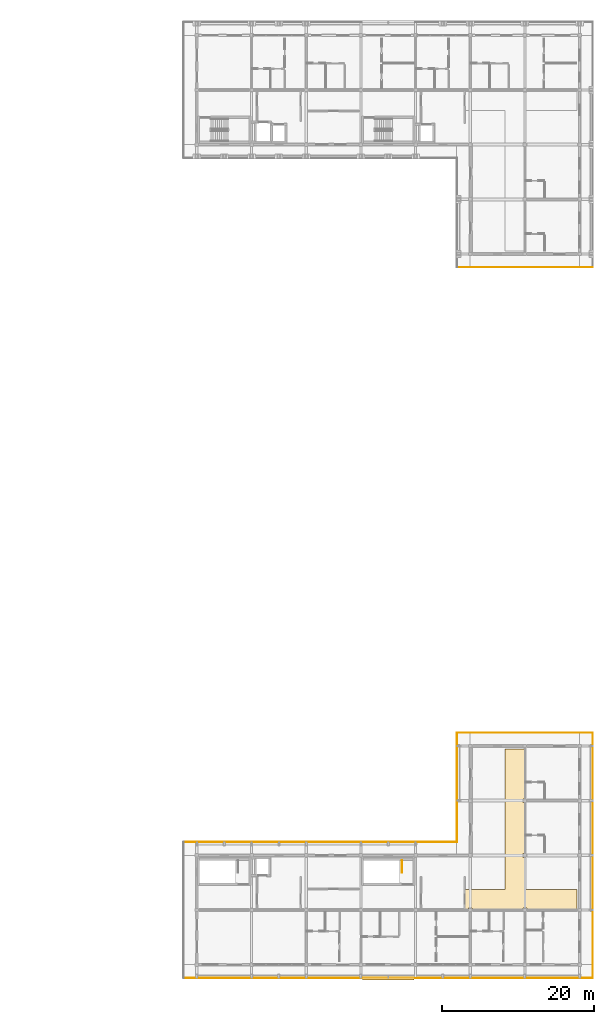
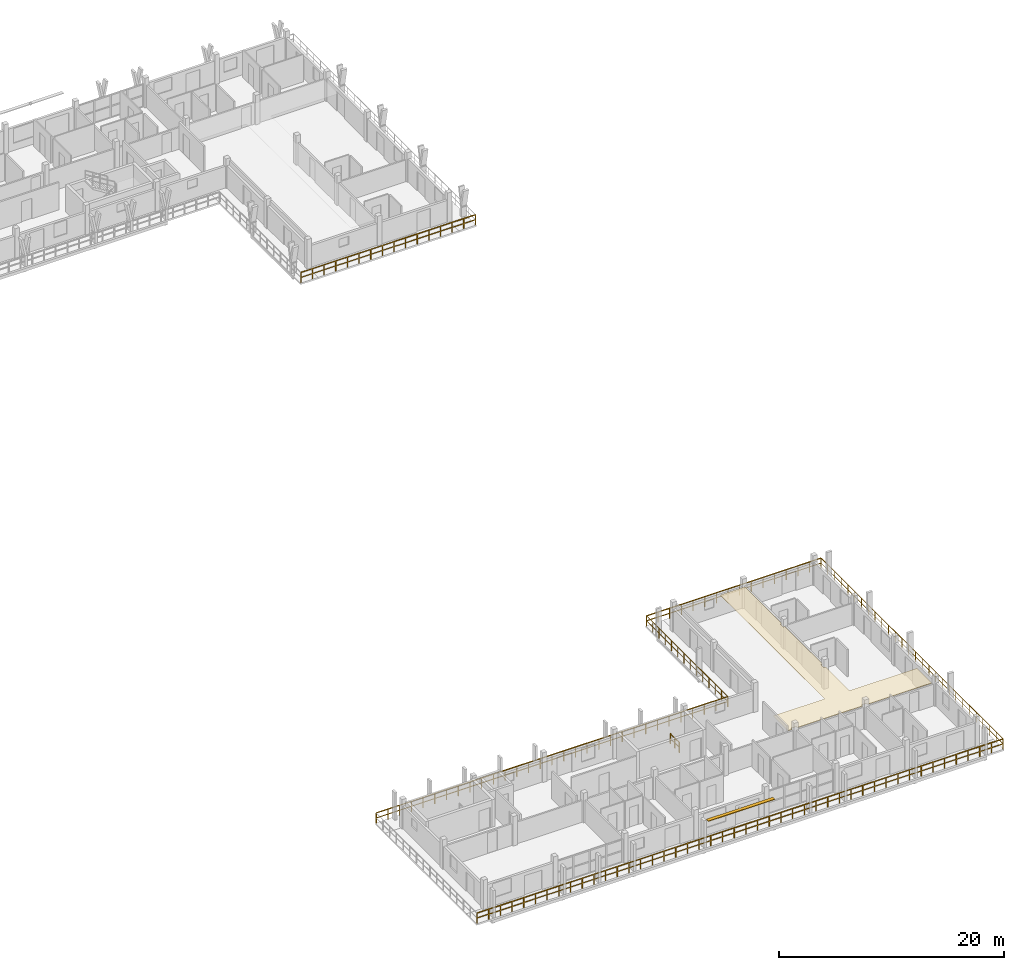
# One storey, part 54 of 56: 7 railings, 1 covering, 1 shading device.
"""IFC4 building model written with IfcOpenShell, lengths in metres."""

from ifc_helpers import new_model, si_unit, direction, frame, origin, origin_2d, place, context, subcontext, project, spatial, polyline, rectangle, outline, extrude, material, layer, layer_set, type_object, element, save


model = new_model("IFC4")

# Units and contexts
model_context = context("Model", 3, precision=1e-05, world=origin(), true_north=direction((0.0, 1.0)))
body_context = subcontext(model_context, "Body", "Model", "MODEL_VIEW")
ifc_project = project(units=[si_unit("LENGTHUNIT", "METRE"), si_unit("AREAUNIT", "SQUARE_METRE"), si_unit("VOLUMEUNIT", "CUBIC_METRE"), si_unit("PLANEANGLEUNIT", "RADIAN"), si_unit("MASSUNIT", "GRAM", prefix="KILO")], contexts=[model_context])

# Site, building, storey
site_placement = place(None, origin())
site = spatial("IfcSite", under=ifc_project, at=site_placement, CompositionType="ELEMENT")
building_placement = place(site_placement, origin())
building = spatial("IfcBuilding", under=site, at=building_placement, Name="Suanplinth Sawtooth Commons", CompositionType="ELEMENT")
storey_placement = place(building_placement, frame((0.0, 0.0, 34.800048828125)))
storey = spatial("IfcBuildingStorey", under=building, at=storey_placement, Name="L10", CompositionType="ELEMENT", Elevation=34.800048828125)

# Covering
ifc_material_1 = material(Name="Mineral fibre acoustic tile")
ifc_layer = layer(ifc_material_1, 0.0400390625, Name="Perforated mineral-fibre acoustic suspended ceiling")
ifc_layer_set = layer_set([ifc_layer], Name="Mineral fibre acoustic tile")
covering_type = type_object("IfcCoveringType", Name="CV-CE01", PredefinedType="CEILING", material=ifc_layer_set)
covering_placement = place(storey_placement, frame((0.0, 0.0, 2.3798828125)))
element("IfcCovering", 1, at=covering_placement, inside=storey, type_object=covering_type, Name="L10 Block C Corridor Acoustic Ceiling", PredefinedType="CEILING", context=body_context, shape_type="SweptSolid", body=[
    extrude(outline(polyline([(172.1201171875, 9.89990234375), (177.39990234375, 9.89990234375), (177.39990234375, 28.43994140625), (179.919921875, 28.43994140625), (179.919921875, 21.85498046875), (179.7451171875, 21.85498046875), (179.7451171875, 21.344970703125), (179.919921875, 21.344970703125), (179.919921875, 14.655029296875), (179.7451171875, 14.655029296875), (179.7451171875, 14.14501953125), (179.919921875, 14.14501953125), (179.919921875, 9.89990234375), (186.840087890625, 9.89990234375), (186.840087890625, 7.280029296875), (180.2548828125, 7.280029296875), (180.2548828125, 7.455078125), (179.7451171875, 7.455078125), (179.7451171875, 7.280029296875), (173.054931640625, 7.280029296875), (173.054931640625, 7.455078125), (172.544921875, 7.455078125), (172.544921875, 7.280029296875), (172.1201171875, 7.280029296875), (172.1201171875, 9.89990234375)])), origin(), (0.0, 0.0, 1.0), 0.0400390625),
])

# Railings
ifc_material_2 = material(Name="Powder-coated galvanized steel", Category="steel")
railing_type_1 = type_object("IfcRailingType", Name="GR-01", PredefinedType="BALUSTRADE", material=ifc_material_2)
railing_1_placement = place(storey_placement, frame((188.93994140625, 91.860107421875, 0.0)))
element("IfcRailing", 2, at=railing_1_placement, inside=storey, type_object=railing_type_1, Name="L10 Block B Perimeter Balustrade 6", PredefinedType="BALUSTRADE", context=body_context, shape_type="SweptSolid", body=[
    extrude(rectangle(XDim=0.048095703125, YDim=0.048095703125, at=origin_2d()), frame((0.0, 0.0, 1.09619140625), z_axis=(-1.0, 0.0, 0.0), x_axis=(0.0, -1.0, 0.0)), (0.0, 0.0, 1.0), 17.8798828125),
    extrude(rectangle(XDim=0.03369140625, YDim=0.03369140625, at=origin_2d()), frame((0.0, 0.0, 0.56005859375), z_axis=(-1.0, 0.0, 0.0), x_axis=(0.0, -1.0, 0.0)), (0.0, 0.0, 1.0), 17.8798828125),
    extrude(rectangle(XDim=0.0419921875, YDim=0.0419921875, at=origin_2d()), origin(), (0.0, 0.0, 1.0), 1.072021484375),
    extrude(rectangle(XDim=0.0419921875, YDim=0.0419921875, at=origin_2d()), frame((-1.19189453125, 0.0, 0.0)), (0.0, 0.0, 1.0), 1.072021484375),
    extrude(rectangle(XDim=0.0419921875, YDim=0.0419921875, at=origin_2d()), frame((-2.384033203125, 0.0, 0.0)), (0.0, 0.0, 1.0), 1.072021484375),
    extrude(rectangle(XDim=0.0419921875, YDim=0.0419921875, at=origin_2d()), frame((-3.575927734375, 0.0, 0.0)), (0.0, 0.0, 1.0), 1.072021484375),
    extrude(rectangle(XDim=0.0419921875, YDim=0.0419921875, at=origin_2d()), frame((-4.76806640625, 0.0, 0.0)), (0.0, 0.0, 1.0), 1.072021484375),
    extrude(rectangle(XDim=0.0419921875, YDim=0.0419921875, at=origin_2d()), frame((-5.9599609375, 0.0, 0.0)), (0.0, 0.0, 1.0), 1.072021484375),
    extrude(rectangle(XDim=0.0419921875, YDim=0.0419921875, at=origin_2d()), frame((-7.15185546875, 0.0, 0.0)), (0.0, 0.0, 1.0), 1.072021484375),
    extrude(rectangle(XDim=0.0419921875, YDim=0.0419921875, at=origin_2d()), frame((-8.343994140625, 0.0, 0.0)), (0.0, 0.0, 1.0), 1.072021484375),
    extrude(rectangle(XDim=0.0419921875, YDim=0.0419921875, at=origin_2d()), frame((-9.535888671875, 0.0, 0.0)), (0.0, 0.0, 1.0), 1.072021484375),
    extrude(rectangle(XDim=0.0419921875, YDim=0.0419921875, at=origin_2d()), frame((-10.72802734375, 0.0, 0.0)), (0.0, 0.0, 1.0), 1.072021484375),
    extrude(rectangle(XDim=0.0419921875, YDim=0.0419921875, at=origin_2d()), frame((-11.919921875, 0.0, 0.0)), (0.0, 0.0, 1.0), 1.072021484375),
    extrude(rectangle(XDim=0.0419921875, YDim=0.0419921875, at=origin_2d()), frame((-13.11181640625, 0.0, 0.0)), (0.0, 0.0, 1.0), 1.072021484375),
    extrude(rectangle(XDim=0.0419921875, YDim=0.0419921875, at=origin_2d()), frame((-14.303955078125, 0.0, 0.0)), (0.0, 0.0, 1.0), 1.072021484375),
    extrude(rectangle(XDim=0.0419921875, YDim=0.0419921875, at=origin_2d()), frame((-15.495849609375, 0.0, 0.0)), (0.0, 0.0, 1.0), 1.072021484375),
    extrude(rectangle(XDim=0.0419921875, YDim=0.0419921875, at=origin_2d()), frame((-16.68798828125, 0.0, 0.0)), (0.0, 0.0, 1.0), 1.072021484375),
    extrude(rectangle(XDim=0.0419921875, YDim=0.0419921875, at=origin_2d()), frame((-17.8798828125, 0.0, 0.0)), (0.0, 0.0, 1.0), 1.072021484375),
])
railing_2_placement = place(storey_placement, frame((135.06005859375, 16.139892578125, 0.0)))
element("IfcRailing", 3, at=railing_2_placement, inside=storey, type_object=railing_type_1, Name="L10 Block C Perimeter Balustrade 2", PredefinedType="BALUSTRADE", context=body_context, shape_type="SweptSolid", body=[
    extrude(rectangle(XDim=0.048095703125, YDim=0.048095703125, at=origin_2d()), frame((0.0, 0.0, 1.09619140625), z_axis=(1.0, 0.0, 0.0), x_axis=(0.0, 1.0, 0.0)), (0.0, 0.0, 1.0), 36.0),
    extrude(rectangle(XDim=0.03369140625, YDim=0.03369140625, at=origin_2d()), frame((0.0, 0.0, 0.56005859375), z_axis=(1.0, 0.0, 0.0), x_axis=(0.0, 1.0, 0.0)), (0.0, 0.0, 1.0), 36.0),
    extrude(rectangle(XDim=0.0419921875, YDim=0.0419921875, at=origin_2d()), origin(), (0.0, 0.0, 1.0), 1.072021484375),
    extrude(rectangle(XDim=0.0419921875, YDim=0.0419921875, at=origin_2d()), frame((1.199951171875, 0.0, 0.0)), (0.0, 0.0, 1.0), 1.072021484375),
    extrude(rectangle(XDim=0.0419921875, YDim=0.0419921875, at=origin_2d()), frame((2.39990234375, 0.0, 0.0)), (0.0, 0.0, 1.0), 1.072021484375),
    extrude(rectangle(XDim=0.0419921875, YDim=0.0419921875, at=origin_2d()), frame((3.60009765625, 0.0, 0.0)), (0.0, 0.0, 1.0), 1.072021484375),
    extrude(rectangle(XDim=0.0419921875, YDim=0.0419921875, at=origin_2d()), frame((4.800048828125, 0.0, 0.0)), (0.0, 0.0, 1.0), 1.072021484375),
    extrude(rectangle(XDim=0.0419921875, YDim=0.0419921875, at=origin_2d()), frame((6.0, 0.0, 0.0)), (0.0, 0.0, 1.0), 1.072021484375),
    extrude(rectangle(XDim=0.0419921875, YDim=0.0419921875, at=origin_2d()), frame((7.199951171875, 0.0, 0.0)), (0.0, 0.0, 1.0), 1.072021484375),
    extrude(rectangle(XDim=0.0419921875, YDim=0.0419921875, at=origin_2d()), frame((8.39990234375, 0.0, 0.0)), (0.0, 0.0, 1.0), 1.072021484375),
    extrude(rectangle(XDim=0.0419921875, YDim=0.0419921875, at=origin_2d()), frame((9.60009765625, 0.0, 0.0)), (0.0, 0.0, 1.0), 1.072021484375),
    extrude(rectangle(XDim=0.0419921875, YDim=0.0419921875, at=origin_2d()), frame((10.800048828125, 0.0, 0.0)), (0.0, 0.0, 1.0), 1.072021484375),
    extrude(rectangle(XDim=0.0419921875, YDim=0.0419921875, at=origin_2d()), frame((12.0, 0.0, 0.0)), (0.0, 0.0, 1.0), 1.072021484375),
    extrude(rectangle(XDim=0.0419921875, YDim=0.0419921875, at=origin_2d()), frame((13.199951171875, 0.0, 0.0)), (0.0, 0.0, 1.0), 1.072021484375),
    extrude(rectangle(XDim=0.0419921875, YDim=0.0419921875, at=origin_2d()), frame((14.39990234375, 0.0, 0.0)), (0.0, 0.0, 1.0), 1.072021484375),
    extrude(rectangle(XDim=0.0419921875, YDim=0.0419921875, at=origin_2d()), frame((15.60009765625, 0.0, 0.0)), (0.0, 0.0, 1.0), 1.072021484375),
    extrude(rectangle(XDim=0.0419921875, YDim=0.0419921875, at=origin_2d()), frame((16.800048828125, 0.0, 0.0)), (0.0, 0.0, 1.0), 1.072021484375),
    extrude(rectangle(XDim=0.0419921875, YDim=0.0419921875, at=origin_2d()), frame((18.0, 0.0, 0.0)), (0.0, 0.0, 1.0), 1.072021484375),
    extrude(rectangle(XDim=0.0419921875, YDim=0.0419921875, at=origin_2d()), frame((19.199951171875, 0.0, 0.0)), (0.0, 0.0, 1.0), 1.072021484375),
    extrude(rectangle(XDim=0.0419921875, YDim=0.0419921875, at=origin_2d()), frame((20.39990234375, 0.0, 0.0)), (0.0, 0.0, 1.0), 1.072021484375),
    extrude(rectangle(XDim=0.0419921875, YDim=0.0419921875, at=origin_2d()), frame((21.60009765625, 0.0, 0.0)), (0.0, 0.0, 1.0), 1.072021484375),
    extrude(rectangle(XDim=0.0419921875, YDim=0.0419921875, at=origin_2d()), frame((22.800048828125, 0.0, 0.0)), (0.0, 0.0, 1.0), 1.072021484375),
    extrude(rectangle(XDim=0.0419921875, YDim=0.0419921875, at=origin_2d()), frame((24.0, 0.0, 0.0)), (0.0, 0.0, 1.0), 1.072021484375),
    extrude(rectangle(XDim=0.0419921875, YDim=0.0419921875, at=origin_2d()), frame((25.199951171875, 0.0, 0.0)), (0.0, 0.0, 1.0), 1.072021484375),
    extrude(rectangle(XDim=0.0419921875, YDim=0.0419921875, at=origin_2d()), frame((26.39990234375, 0.0, 0.0)), (0.0, 0.0, 1.0), 1.072021484375),
    extrude(rectangle(XDim=0.0419921875, YDim=0.0419921875, at=origin_2d()), frame((27.60009765625, 0.0, 0.0)), (0.0, 0.0, 1.0), 1.072021484375),
    extrude(rectangle(XDim=0.0419921875, YDim=0.0419921875, at=origin_2d()), frame((28.800048828125, 0.0, 0.0)), (0.0, 0.0, 1.0), 1.072021484375),
    extrude(rectangle(XDim=0.0419921875, YDim=0.0419921875, at=origin_2d()), frame((30.0, 0.0, 0.0)), (0.0, 0.0, 1.0), 1.072021484375),
    extrude(rectangle(XDim=0.0419921875, YDim=0.0419921875, at=origin_2d()), frame((31.199951171875, 0.0, 0.0)), (0.0, 0.0, 1.0), 1.072021484375),
    extrude(rectangle(XDim=0.0419921875, YDim=0.0419921875, at=origin_2d()), frame((32.39990234375, 0.0, 0.0)), (0.0, 0.0, 1.0), 1.072021484375),
    extrude(rectangle(XDim=0.0419921875, YDim=0.0419921875, at=origin_2d()), frame((33.60009765625, 0.0, 0.0)), (0.0, 0.0, 1.0), 1.072021484375),
    extrude(rectangle(XDim=0.0419921875, YDim=0.0419921875, at=origin_2d()), frame((34.800048828125, 0.0, 0.0)), (0.0, 0.0, 1.0), 1.072021484375),
    extrude(rectangle(XDim=0.0419921875, YDim=0.0419921875, at=origin_2d()), frame((36.0, 0.0, 0.0)), (0.0, 0.0, 1.0), 1.072021484375),
])
railing_3_placement = place(storey_placement, frame((171.06005859375, 16.139892578125, 0.0)))
element("IfcRailing", 4, at=railing_3_placement, inside=storey, type_object=railing_type_1, Name="L10 Block C Perimeter Balustrade 3", PredefinedType="BALUSTRADE", context=body_context, shape_type="SweptSolid", body=[
    extrude(rectangle(XDim=0.048095703125, YDim=0.048095703125, at=origin_2d()), frame((0.0, 0.0, 1.09619140625), z_axis=(0.0, 1.0, 0.0), x_axis=(-1.0, 0.0, 0.0)), (0.0, 0.0, 1.0), 14.400146484375),
    extrude(rectangle(XDim=0.03369140625, YDim=0.03369140625, at=origin_2d()), frame((0.0, 0.0, 0.56005859375), z_axis=(0.0, 1.0, 0.0), x_axis=(-1.0, 0.0, 0.0)), (0.0, 0.0, 1.0), 14.400146484375),
    extrude(rectangle(XDim=0.0419921875, YDim=0.0419921875, at=origin_2d()), origin(), (0.0, 0.0, 1.0), 1.072021484375),
    extrude(rectangle(XDim=0.0419921875, YDim=0.0419921875, at=origin_2d()), frame((0.0, 1.107666015625, 0.0)), (0.0, 0.0, 1.0), 1.072021484375),
    extrude(rectangle(XDim=0.0419921875, YDim=0.0419921875, at=origin_2d()), frame((0.0, 2.21533203125, 0.0)), (0.0, 0.0, 1.0), 1.072021484375),
    extrude(rectangle(XDim=0.0419921875, YDim=0.0419921875, at=origin_2d()), frame((0.0, 3.322998046875, 0.0)), (0.0, 0.0, 1.0), 1.072021484375),
    extrude(rectangle(XDim=0.0419921875, YDim=0.0419921875, at=origin_2d()), frame((0.0, 4.430908203125, 0.0)), (0.0, 0.0, 1.0), 1.072021484375),
    extrude(rectangle(XDim=0.0419921875, YDim=0.0419921875, at=origin_2d()), frame((0.0, 5.53857421875, 0.0)), (0.0, 0.0, 1.0), 1.072021484375),
    extrude(rectangle(XDim=0.0419921875, YDim=0.0419921875, at=origin_2d()), frame((0.0, 6.646240234375, 0.0)), (0.0, 0.0, 1.0), 1.072021484375),
    extrude(rectangle(XDim=0.0419921875, YDim=0.0419921875, at=origin_2d()), frame((0.0, 7.75390625, 0.0)), (0.0, 0.0, 1.0), 1.072021484375),
    extrude(rectangle(XDim=0.0419921875, YDim=0.0419921875, at=origin_2d()), frame((0.0, 8.861572265625, 0.0)), (0.0, 0.0, 1.0), 1.072021484375),
    extrude(rectangle(XDim=0.0419921875, YDim=0.0419921875, at=origin_2d()), frame((0.0, 9.96923828125, 0.0)), (0.0, 0.0, 1.0), 1.072021484375),
    extrude(rectangle(XDim=0.0419921875, YDim=0.0419921875, at=origin_2d()), frame((0.0, 11.0771484375, 0.0)), (0.0, 0.0, 1.0), 1.072021484375),
    extrude(rectangle(XDim=0.0419921875, YDim=0.0419921875, at=origin_2d()), frame((0.0, 12.184814453125, 0.0)), (0.0, 0.0, 1.0), 1.072021484375),
    extrude(rectangle(XDim=0.0419921875, YDim=0.0419921875, at=origin_2d()), frame((0.0, 13.29248046875, 0.0)), (0.0, 0.0, 1.0), 1.072021484375),
    extrude(rectangle(XDim=0.0419921875, YDim=0.0419921875, at=origin_2d()), frame((0.0, 14.400146484375, 0.0)), (0.0, 0.0, 1.0), 1.072021484375),
])
railing_4_placement = place(storey_placement, frame((171.06005859375, 30.5400390625, 0.0)))
element("IfcRailing", 5, at=railing_4_placement, inside=storey, type_object=railing_type_1, Name="L10 Block C Perimeter Balustrade 4", PredefinedType="BALUSTRADE", context=body_context, shape_type="SweptSolid", body=[
    extrude(rectangle(XDim=0.048095703125, YDim=0.048095703125, at=origin_2d()), frame((0.0, 0.0, 1.09619140625), z_axis=(1.0, 0.0, 0.0), x_axis=(0.0, 1.0, 0.0)), (0.0, 0.0, 1.0), 17.8798828125),
    extrude(rectangle(XDim=0.03369140625, YDim=0.03369140625, at=origin_2d()), frame((0.0, 0.0, 0.56005859375), z_axis=(1.0, 0.0, 0.0), x_axis=(0.0, 1.0, 0.0)), (0.0, 0.0, 1.0), 17.8798828125),
    extrude(rectangle(XDim=0.0419921875, YDim=0.0419921875, at=origin_2d()), origin(), (0.0, 0.0, 1.0), 1.072021484375),
    extrude(rectangle(XDim=0.0419921875, YDim=0.0419921875, at=origin_2d()), frame((1.19189453125, 0.0, 0.0)), (0.0, 0.0, 1.0), 1.072021484375),
    extrude(rectangle(XDim=0.0419921875, YDim=0.0419921875, at=origin_2d()), frame((2.384033203125, 0.0, 0.0)), (0.0, 0.0, 1.0), 1.072021484375),
    extrude(rectangle(XDim=0.0419921875, YDim=0.0419921875, at=origin_2d()), frame((3.575927734375, 0.0, 0.0)), (0.0, 0.0, 1.0), 1.072021484375),
    extrude(rectangle(XDim=0.0419921875, YDim=0.0419921875, at=origin_2d()), frame((4.76806640625, 0.0, 0.0)), (0.0, 0.0, 1.0), 1.072021484375),
    extrude(rectangle(XDim=0.0419921875, YDim=0.0419921875, at=origin_2d()), frame((5.9599609375, 0.0, 0.0)), (0.0, 0.0, 1.0), 1.072021484375),
    extrude(rectangle(XDim=0.0419921875, YDim=0.0419921875, at=origin_2d()), frame((7.15185546875, 0.0, 0.0)), (0.0, 0.0, 1.0), 1.072021484375),
    extrude(rectangle(XDim=0.0419921875, YDim=0.0419921875, at=origin_2d()), frame((8.343994140625, 0.0, 0.0)), (0.0, 0.0, 1.0), 1.072021484375),
    extrude(rectangle(XDim=0.0419921875, YDim=0.0419921875, at=origin_2d()), frame((9.535888671875, 0.0, 0.0)), (0.0, 0.0, 1.0), 1.072021484375),
    extrude(rectangle(XDim=0.0419921875, YDim=0.0419921875, at=origin_2d()), frame((10.72802734375, 0.0, 0.0)), (0.0, 0.0, 1.0), 1.072021484375),
    extrude(rectangle(XDim=0.0419921875, YDim=0.0419921875, at=origin_2d()), frame((11.919921875, 0.0, 0.0)), (0.0, 0.0, 1.0), 1.072021484375),
    extrude(rectangle(XDim=0.0419921875, YDim=0.0419921875, at=origin_2d()), frame((13.11181640625, 0.0, 0.0)), (0.0, 0.0, 1.0), 1.072021484375),
    extrude(rectangle(XDim=0.0419921875, YDim=0.0419921875, at=origin_2d()), frame((14.303955078125, 0.0, 0.0)), (0.0, 0.0, 1.0), 1.072021484375),
    extrude(rectangle(XDim=0.0419921875, YDim=0.0419921875, at=origin_2d()), frame((15.495849609375, 0.0, 0.0)), (0.0, 0.0, 1.0), 1.072021484375),
    extrude(rectangle(XDim=0.0419921875, YDim=0.0419921875, at=origin_2d()), frame((16.68798828125, 0.0, 0.0)), (0.0, 0.0, 1.0), 1.072021484375),
    extrude(rectangle(XDim=0.0419921875, YDim=0.0419921875, at=origin_2d()), frame((17.8798828125, 0.0, 0.0)), (0.0, 0.0, 1.0), 1.072021484375),
])
railing_5_placement = place(storey_placement, frame((188.93994140625, 30.5400390625, 0.0)))
element("IfcRailing", 6, at=railing_5_placement, inside=storey, type_object=railing_type_1, Name="L10 Block C Perimeter Balustrade 5", PredefinedType="BALUSTRADE", context=body_context, shape_type="SweptSolid", body=[
    extrude(rectangle(XDim=0.048095703125, YDim=0.048095703125, at=origin_2d()), frame((0.0, 0.0, 1.09619140625), z_axis=(0.0, -1.0, 0.0), x_axis=(1.0, 0.0, 0.0)), (0.0, 0.0, 1.0), 32.280029296875),
    extrude(rectangle(XDim=0.03369140625, YDim=0.03369140625, at=origin_2d()), frame((0.0, 0.0, 0.56005859375), z_axis=(0.0, -1.0, 0.0), x_axis=(1.0, 0.0, 0.0)), (0.0, 0.0, 1.0), 32.280029296875),
    extrude(rectangle(XDim=0.0419921875, YDim=0.0419921875, at=origin_2d()), origin(), (0.0, 0.0, 1.0), 1.072021484375),
    extrude(rectangle(XDim=0.0419921875, YDim=0.0419921875, at=origin_2d()), frame((0.0, -1.195556640625, 0.0)), (0.0, 0.0, 1.0), 1.072021484375),
    extrude(rectangle(XDim=0.0419921875, YDim=0.0419921875, at=origin_2d()), frame((0.0, -2.39111328125, 0.0)), (0.0, 0.0, 1.0), 1.072021484375),
    extrude(rectangle(XDim=0.0419921875, YDim=0.0419921875, at=origin_2d()), frame((0.0, -3.586669921875, 0.0)), (0.0, 0.0, 1.0), 1.072021484375),
    extrude(rectangle(XDim=0.0419921875, YDim=0.0419921875, at=origin_2d()), frame((0.0, -4.7822265625, 0.0)), (0.0, 0.0, 1.0), 1.072021484375),
    extrude(rectangle(XDim=0.0419921875, YDim=0.0419921875, at=origin_2d()), frame((0.0, -5.977783203125, 0.0)), (0.0, 0.0, 1.0), 1.072021484375),
    extrude(rectangle(XDim=0.0419921875, YDim=0.0419921875, at=origin_2d()), frame((0.0, -7.17333984375, 0.0)), (0.0, 0.0, 1.0), 1.072021484375),
    extrude(rectangle(XDim=0.0419921875, YDim=0.0419921875, at=origin_2d()), frame((0.0, -8.368896484375, 0.0)), (0.0, 0.0, 1.0), 1.072021484375),
    extrude(rectangle(XDim=0.0419921875, YDim=0.0419921875, at=origin_2d()), frame((0.0, -9.564453125, 0.0)), (0.0, 0.0, 1.0), 1.072021484375),
    extrude(rectangle(XDim=0.0419921875, YDim=0.0419921875, at=origin_2d()), frame((0.0, -10.760009765625, 0.0)), (0.0, 0.0, 1.0), 1.072021484375),
    extrude(rectangle(XDim=0.0419921875, YDim=0.0419921875, at=origin_2d()), frame((0.0, -11.95556640625, 0.0)), (0.0, 0.0, 1.0), 1.072021484375),
    extrude(rectangle(XDim=0.0419921875, YDim=0.0419921875, at=origin_2d()), frame((0.0, -13.151123046875, 0.0)), (0.0, 0.0, 1.0), 1.072021484375),
    extrude(rectangle(XDim=0.0419921875, YDim=0.0419921875, at=origin_2d()), frame((0.0, -14.3466796875, 0.0)), (0.0, 0.0, 1.0), 1.072021484375),
    extrude(rectangle(XDim=0.0419921875, YDim=0.0419921875, at=origin_2d()), frame((0.0, -15.542236328125, 0.0)), (0.0, 0.0, 1.0), 1.072021484375),
    extrude(rectangle(XDim=0.0419921875, YDim=0.0419921875, at=origin_2d()), frame((0.0, -16.73779296875, 0.0)), (0.0, 0.0, 1.0), 1.072021484375),
    extrude(rectangle(XDim=0.0419921875, YDim=0.0419921875, at=origin_2d()), frame((0.0, -17.933349609375, 0.0)), (0.0, 0.0, 1.0), 1.072021484375),
    extrude(rectangle(XDim=0.0419921875, YDim=0.0419921875, at=origin_2d()), frame((0.0, -19.12890625, 0.0)), (0.0, 0.0, 1.0), 1.072021484375),
    extrude(rectangle(XDim=0.0419921875, YDim=0.0419921875, at=origin_2d()), frame((0.0, -20.324462890625, 0.0)), (0.0, 0.0, 1.0), 1.072021484375),
    extrude(rectangle(XDim=0.0419921875, YDim=0.0419921875, at=origin_2d()), frame((0.0, -21.52001953125, 0.0)), (0.0, 0.0, 1.0), 1.072021484375),
    extrude(rectangle(XDim=0.0419921875, YDim=0.0419921875, at=origin_2d()), frame((0.0, -22.715576171875, 0.0)), (0.0, 0.0, 1.0), 1.072021484375),
    extrude(rectangle(XDim=0.0419921875, YDim=0.0419921875, at=origin_2d()), frame((0.0, -23.9111328125, 0.0)), (0.0, 0.0, 1.0), 1.072021484375),
    extrude(rectangle(XDim=0.0419921875, YDim=0.0419921875, at=origin_2d()), frame((0.0, -25.106689453125, 0.0)), (0.0, 0.0, 1.0), 1.072021484375),
    extrude(rectangle(XDim=0.0419921875, YDim=0.0419921875, at=origin_2d()), frame((0.0, -26.30224609375, 0.0)), (0.0, 0.0, 1.0), 1.072021484375),
    extrude(rectangle(XDim=0.0419921875, YDim=0.0419921875, at=origin_2d()), frame((0.0, -27.497802734375, 0.0)), (0.0, 0.0, 1.0), 1.072021484375),
    extrude(rectangle(XDim=0.0419921875, YDim=0.0419921875, at=origin_2d()), frame((0.0, -28.693359375, 0.0)), (0.0, 0.0, 1.0), 1.072021484375),
    extrude(rectangle(XDim=0.0419921875, YDim=0.0419921875, at=origin_2d()), frame((0.0, -29.888916015625, 0.0)), (0.0, 0.0, 1.0), 1.072021484375),
    extrude(rectangle(XDim=0.0419921875, YDim=0.0419921875, at=origin_2d()), frame((0.0, -31.08447265625, 0.0)), (0.0, 0.0, 1.0), 1.072021484375),
    extrude(rectangle(XDim=0.0419921875, YDim=0.0419921875, at=origin_2d()), frame((0.0, -32.280029296875, 0.0)), (0.0, 0.0, 1.0), 1.072021484375),
])
railing_6_placement = place(storey_placement, frame((188.93994140625, -1.739990234375, 0.0)))
element("IfcRailing", 7, at=railing_6_placement, inside=storey, type_object=railing_type_1, Name="L10 Block C Perimeter Balustrade 6", PredefinedType="BALUSTRADE", context=body_context, shape_type="SweptSolid", body=[
    extrude(rectangle(XDim=0.048095703125, YDim=0.048095703125, at=origin_2d()), frame((0.0, 0.0, 1.09619140625), z_axis=(-1.0, 0.0, 0.0), x_axis=(0.0, -1.0, 0.0)), (0.0, 0.0, 1.0), 53.8798828125),
    extrude(rectangle(XDim=0.03369140625, YDim=0.03369140625, at=origin_2d()), frame((0.0, 0.0, 0.56005859375), z_axis=(-1.0, 0.0, 0.0), x_axis=(0.0, -1.0, 0.0)), (0.0, 0.0, 1.0), 53.8798828125),
    extrude(rectangle(XDim=0.0419921875, YDim=0.0419921875, at=origin_2d()), origin(), (0.0, 0.0, 1.0), 1.072021484375),
    extrude(rectangle(XDim=0.0419921875, YDim=0.0419921875, at=origin_2d()), frame((-1.197265625, 0.0, 0.0)), (0.0, 0.0, 1.0), 1.072021484375),
    extrude(rectangle(XDim=0.0419921875, YDim=0.0419921875, at=origin_2d()), frame((-2.394775390625, 0.0, 0.0)), (0.0, 0.0, 1.0), 1.072021484375),
    extrude(rectangle(XDim=0.0419921875, YDim=0.0419921875, at=origin_2d()), frame((-3.592041015625, 0.0, 0.0)), (0.0, 0.0, 1.0), 1.072021484375),
    extrude(rectangle(XDim=0.0419921875, YDim=0.0419921875, at=origin_2d()), frame((-4.789306640625, 0.0, 0.0)), (0.0, 0.0, 1.0), 1.072021484375),
    extrude(rectangle(XDim=0.0419921875, YDim=0.0419921875, at=origin_2d()), frame((-5.986572265625, 0.0, 0.0)), (0.0, 0.0, 1.0), 1.072021484375),
    extrude(rectangle(XDim=0.0419921875, YDim=0.0419921875, at=origin_2d()), frame((-7.18408203125, 0.0, 0.0)), (0.0, 0.0, 1.0), 1.072021484375),
    extrude(rectangle(XDim=0.0419921875, YDim=0.0419921875, at=origin_2d()), frame((-8.38134765625, 0.0, 0.0)), (0.0, 0.0, 1.0), 1.072021484375),
    extrude(rectangle(XDim=0.0419921875, YDim=0.0419921875, at=origin_2d()), frame((-9.57861328125, 0.0, 0.0)), (0.0, 0.0, 1.0), 1.072021484375),
    extrude(rectangle(XDim=0.0419921875, YDim=0.0419921875, at=origin_2d()), frame((-10.77587890625, 0.0, 0.0)), (0.0, 0.0, 1.0), 1.072021484375),
    extrude(rectangle(XDim=0.0419921875, YDim=0.0419921875, at=origin_2d()), frame((-11.973388671875, 0.0, 0.0)), (0.0, 0.0, 1.0), 1.072021484375),
    extrude(rectangle(XDim=0.0419921875, YDim=0.0419921875, at=origin_2d()), frame((-13.170654296875, 0.0, 0.0)), (0.0, 0.0, 1.0), 1.072021484375),
    extrude(rectangle(XDim=0.0419921875, YDim=0.0419921875, at=origin_2d()), frame((-14.367919921875, 0.0, 0.0)), (0.0, 0.0, 1.0), 1.072021484375),
    extrude(rectangle(XDim=0.0419921875, YDim=0.0419921875, at=origin_2d()), frame((-15.565185546875, 0.0, 0.0)), (0.0, 0.0, 1.0), 1.072021484375),
    extrude(rectangle(XDim=0.0419921875, YDim=0.0419921875, at=origin_2d()), frame((-16.7626953125, 0.0, 0.0)), (0.0, 0.0, 1.0), 1.072021484375),
    extrude(rectangle(XDim=0.0419921875, YDim=0.0419921875, at=origin_2d()), frame((-17.9599609375, 0.0, 0.0)), (0.0, 0.0, 1.0), 1.072021484375),
    extrude(rectangle(XDim=0.0419921875, YDim=0.0419921875, at=origin_2d()), frame((-19.1572265625, 0.0, 0.0)), (0.0, 0.0, 1.0), 1.072021484375),
    extrude(rectangle(XDim=0.0419921875, YDim=0.0419921875, at=origin_2d()), frame((-20.354736328125, 0.0, 0.0)), (0.0, 0.0, 1.0), 1.072021484375),
    extrude(rectangle(XDim=0.0419921875, YDim=0.0419921875, at=origin_2d()), frame((-21.552001953125, 0.0, 0.0)), (0.0, 0.0, 1.0), 1.072021484375),
    extrude(rectangle(XDim=0.0419921875, YDim=0.0419921875, at=origin_2d()), frame((-22.749267578125, 0.0, 0.0)), (0.0, 0.0, 1.0), 1.072021484375),
    extrude(rectangle(XDim=0.0419921875, YDim=0.0419921875, at=origin_2d()), frame((-23.946533203125, 0.0, 0.0)), (0.0, 0.0, 1.0), 1.072021484375),
    extrude(rectangle(XDim=0.0419921875, YDim=0.0419921875, at=origin_2d()), frame((-25.14404296875, 0.0, 0.0)), (0.0, 0.0, 1.0), 1.072021484375),
    extrude(rectangle(XDim=0.0419921875, YDim=0.0419921875, at=origin_2d()), frame((-26.34130859375, 0.0, 0.0)), (0.0, 0.0, 1.0), 1.072021484375),
    extrude(rectangle(XDim=0.0419921875, YDim=0.0419921875, at=origin_2d()), frame((-27.53857421875, 0.0, 0.0)), (0.0, 0.0, 1.0), 1.072021484375),
    extrude(rectangle(XDim=0.0419921875, YDim=0.0419921875, at=origin_2d()), frame((-28.73583984375, 0.0, 0.0)), (0.0, 0.0, 1.0), 1.072021484375),
    extrude(rectangle(XDim=0.0419921875, YDim=0.0419921875, at=origin_2d()), frame((-29.933349609375, 0.0, 0.0)), (0.0, 0.0, 1.0), 1.072021484375),
    extrude(rectangle(XDim=0.0419921875, YDim=0.0419921875, at=origin_2d()), frame((-31.130615234375, 0.0, 0.0)), (0.0, 0.0, 1.0), 1.072021484375),
    extrude(rectangle(XDim=0.0419921875, YDim=0.0419921875, at=origin_2d()), frame((-32.327880859375, 0.0, 0.0)), (0.0, 0.0, 1.0), 1.072021484375),
    extrude(rectangle(XDim=0.0419921875, YDim=0.0419921875, at=origin_2d()), frame((-33.525146484375, 0.0, 0.0)), (0.0, 0.0, 1.0), 1.072021484375),
    extrude(rectangle(XDim=0.0419921875, YDim=0.0419921875, at=origin_2d()), frame((-34.72265625, 0.0, 0.0)), (0.0, 0.0, 1.0), 1.072021484375),
    extrude(rectangle(XDim=0.0419921875, YDim=0.0419921875, at=origin_2d()), frame((-35.919921875, 0.0, 0.0)), (0.0, 0.0, 1.0), 1.072021484375),
    extrude(rectangle(XDim=0.0419921875, YDim=0.0419921875, at=origin_2d()), frame((-37.1171875, 0.0, 0.0)), (0.0, 0.0, 1.0), 1.072021484375),
    extrude(rectangle(XDim=0.0419921875, YDim=0.0419921875, at=origin_2d()), frame((-38.314697265625, 0.0, 0.0)), (0.0, 0.0, 1.0), 1.072021484375),
    extrude(rectangle(XDim=0.0419921875, YDim=0.0419921875, at=origin_2d()), frame((-39.511962890625, 0.0, 0.0)), (0.0, 0.0, 1.0), 1.072021484375),
    extrude(rectangle(XDim=0.0419921875, YDim=0.0419921875, at=origin_2d()), frame((-40.709228515625, 0.0, 0.0)), (0.0, 0.0, 1.0), 1.072021484375),
    extrude(rectangle(XDim=0.0419921875, YDim=0.0419921875, at=origin_2d()), frame((-41.906494140625, 0.0, 0.0)), (0.0, 0.0, 1.0), 1.072021484375),
    extrude(rectangle(XDim=0.0419921875, YDim=0.0419921875, at=origin_2d()), frame((-43.10400390625, 0.0, 0.0)), (0.0, 0.0, 1.0), 1.072021484375),
    extrude(rectangle(XDim=0.0419921875, YDim=0.0419921875, at=origin_2d()), frame((-44.30126953125, 0.0, 0.0)), (0.0, 0.0, 1.0), 1.072021484375),
    extrude(rectangle(XDim=0.0419921875, YDim=0.0419921875, at=origin_2d()), frame((-45.49853515625, 0.0, 0.0)), (0.0, 0.0, 1.0), 1.072021484375),
    extrude(rectangle(XDim=0.0419921875, YDim=0.0419921875, at=origin_2d()), frame((-46.69580078125, 0.0, 0.0)), (0.0, 0.0, 1.0), 1.072021484375),
    extrude(rectangle(XDim=0.0419921875, YDim=0.0419921875, at=origin_2d()), frame((-47.893310546875, 0.0, 0.0)), (0.0, 0.0, 1.0), 1.072021484375),
    extrude(rectangle(XDim=0.0419921875, YDim=0.0419921875, at=origin_2d()), frame((-49.090576171875, 0.0, 0.0)), (0.0, 0.0, 1.0), 1.072021484375),
    extrude(rectangle(XDim=0.0419921875, YDim=0.0419921875, at=origin_2d()), frame((-50.287841796875, 0.0, 0.0)), (0.0, 0.0, 1.0), 1.072021484375),
    extrude(rectangle(XDim=0.0419921875, YDim=0.0419921875, at=origin_2d()), frame((-51.485107421875, 0.0, 0.0)), (0.0, 0.0, 1.0), 1.072021484375),
    extrude(rectangle(XDim=0.0419921875, YDim=0.0419921875, at=origin_2d()), frame((-52.6826171875, 0.0, 0.0)), (0.0, 0.0, 1.0), 1.072021484375),
    extrude(rectangle(XDim=0.0419921875, YDim=0.0419921875, at=origin_2d()), frame((-53.8798828125, 0.0, 0.0)), (0.0, 0.0, 1.0), 1.072021484375),
])
ifc_material_3 = material(Name="Stainless steel Grade 304", Category="steel")
railing_type_2 = type_object("IfcRailingType", Name="GR-04", PredefinedType="GUARDRAIL", material=ifc_material_3)
railing_7_placement = place(storey_placement, frame((163.800048828125, 13.75, 0.0)))
element("IfcRailing", 8, at=railing_7_placement, inside=storey, type_object=railing_type_2, Name="L10 ST-S2 Top Well Guard 1", PredefinedType="GUARDRAIL", context=body_context, shape_type="SweptSolid", body=[
    extrude(rectangle(XDim=0.048095703125, YDim=0.048095703125, at=origin_2d()), frame((0.0, 0.0, 1.076171875), z_axis=(0.0, -1.0, 0.0), x_axis=(1.0, 0.0, 0.0)), (0.0, 0.0, 1.0), 1.60009765625),
    extrude(rectangle(XDim=0.03369140625, YDim=0.03369140625, at=origin_2d()), frame((0.0, 0.0, 0.550048828125), z_axis=(0.0, -1.0, 0.0), x_axis=(1.0, 0.0, 0.0)), (0.0, 0.0, 1.0), 1.60009765625),
    extrude(rectangle(XDim=0.0419921875, YDim=0.0419921875, at=origin_2d()), origin(), (0.0, 0.0, 1.0), 1.052001953125),
    extrude(rectangle(XDim=0.0419921875, YDim=0.0419921875, at=origin_2d()), frame((0.0, -0.800048828125, 0.0)), (0.0, 0.0, 1.0), 1.052001953125),
    extrude(rectangle(XDim=0.0419921875, YDim=0.0419921875, at=origin_2d()), frame((0.0, -1.60009765625, 0.0)), (0.0, 0.0, 1.0), 1.052001953125),
])

# Shading device
ifc_material_4 = material(Name="Anodized aluminium 6063-T6", Category="aluminium")
shading_device_type = type_object("IfcShadingDeviceType", Name="SHD-01", PredefinedType="JALOUSIE", material=ifc_material_4)
shading_device_placement = place(storey_placement, frame((162.0, -1.840087890625, 2.919921875), z_axis=(0.0, 0.0, 1.0), x_axis=(1.0, 0.0, 0.0)))
element("IfcShadingDevice", 9, at=shading_device_placement, inside=storey, type_object=shading_device_type, Name="Monsoon Louvre L10-C-1", PredefinedType="JALOUSIE", context=body_context, shape_type="SweptSolid", body=[
    extrude(rectangle(XDim=6.800048828125, YDim=0.35009765625, at=origin_2d()), origin(), (0.0, 0.0, 1.0), 0.06005859375),
])

save(model, "model.ifc")
